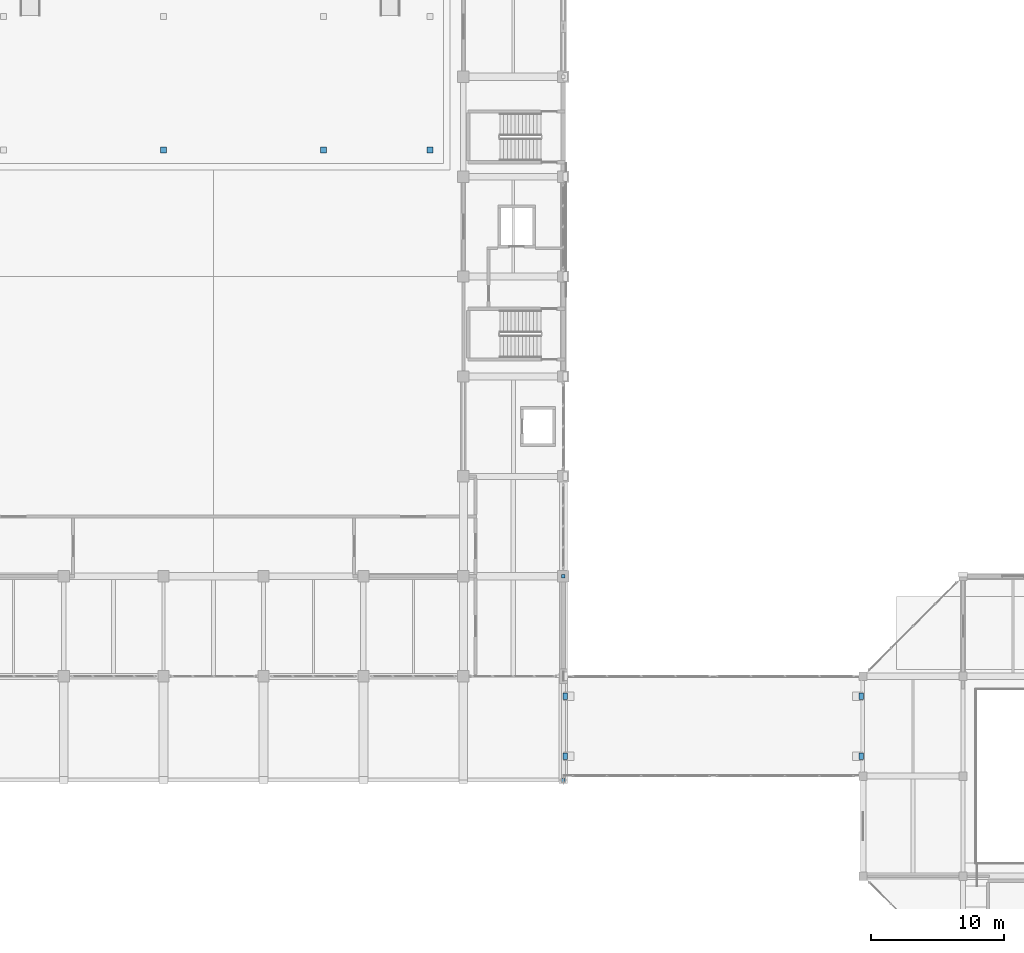
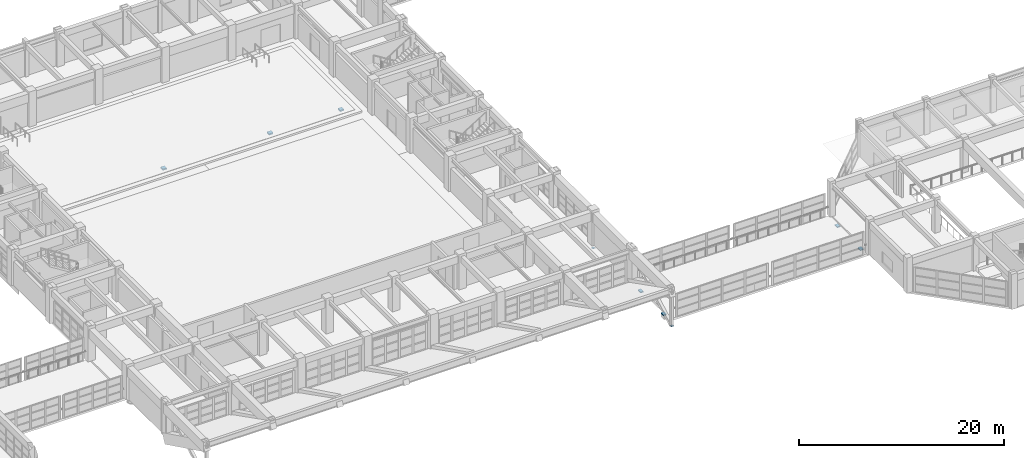
# One storey, part 113 of 132: 9 discrete accessories.
"""IFC4 building model written with IfcOpenShell, lengths in metres."""

from ifc_helpers import new_model, si_unit, direction, frame, origin, origin_2d, place, context, subcontext, project, spatial, rectangle, extrude, material, type_object, element, save


model = new_model("IFC4")

# Units and contexts
model_context = context("Model", 3, precision=1e-05, world=origin(), true_north=direction((0.0, 1.0)))
body_context = subcontext(model_context, "Body", "Model", "MODEL_VIEW")
ifc_project = project(units=[si_unit("LENGTHUNIT", "METRE"), si_unit("AREAUNIT", "SQUARE_METRE"), si_unit("VOLUMEUNIT", "CUBIC_METRE"), si_unit("PLANEANGLEUNIT", "RADIAN"), si_unit("MASSUNIT", "GRAM", prefix="KILO")], contexts=[model_context])

# Site, building, storey
site_placement = place(None, origin())
site = spatial("IfcSite", under=ifc_project, at=site_placement, CompositionType="ELEMENT")
building_placement = place(site_placement, origin())
building = spatial("IfcBuilding", under=site, at=building_placement, Name="Qasida Concert Hall", CompositionType="ELEMENT")
storey_placement = place(building_placement, frame((0.0, 0.0, 4.800048828125)))
storey = spatial("IfcBuildingStorey", under=building, at=storey_placement, Name="L01", CompositionType="ELEMENT", Elevation=4.800048828125)

# Discrete accessories
ifc_material = material(Name="Steel S355J2", Category="steel")
discrete_accessory_type_1 = type_object("IfcDiscreteAccessoryType", Name="ACC-CONN-S355", PredefinedType="BRACKET", material=ifc_material)
for number, where, z_axis, x_axis, name in (
    (1, (105.0, 14.699951171875, -0.612060546875), (0.0, 0.0, 1.0), (1.0, 0.0, 0.0), "Steel brace/strut end connection CN-0007"),
    (2, (105.0, 30.0, -0.612060546875), (0.0, 0.0, 1.0), (1.0, 0.0, 0.0), "Steel brace/strut end connection CN-0008"),
):
    element("IfcDiscreteAccessory", number, at=place(storey_placement, frame(where, z_axis=z_axis, x_axis=x_axis)), inside=storey, type_object=discrete_accessory_type_1, Name=name, PredefinedType="BRACKET", context=body_context, shape_type="SweptSolid", body=[
        extrude(rectangle(XDim=0.280029296875, YDim=0.239990234375, at=origin_2d()), origin(), (0.0, 0.0, 1.0), 0.02392578125),
    ])
discrete_accessory_type_2 = type_object("IfcDiscreteAccessoryType", Name="ACC-PTFE-SLIDE", PredefinedType="BRACKET", material=ifc_material)
for number, where, z_axis, x_axis, name in (
    (3, (105.14990234375, 16.5, -0.400146484375), (0.0, 0.0, 1.0), (1.0, 0.0, 0.0), "Seismic sliding bearing SB-PTFE-041"),
    (4, (105.14990234375, 21.0, -0.400146484375), (0.0, 0.0, 1.0), (1.0, 0.0, 0.0), "Seismic sliding bearing SB-PTFE-042"),
    (5, (127.35009765625, 16.5, -0.400146484375), (0.0, 0.0, 1.0), (1.0, 0.0, 0.0), "Seismic sliding bearing SB-PTFE-043"),
    (6, (127.35009765625, 21.0, -0.400146484375), (0.0, 0.0, 1.0), (1.0, 0.0, 0.0), "Seismic sliding bearing SB-PTFE-044"),
):
    element("IfcDiscreteAccessory", number, at=place(storey_placement, frame(where, z_axis=z_axis, x_axis=x_axis)), inside=storey, type_object=discrete_accessory_type_2, Name=name, PredefinedType="BRACKET", context=body_context, shape_type="SweptSolid", body=[
        extrude(rectangle(XDim=0.35009765625, YDim=0.5, at=origin_2d()), origin(), (0.0, 0.0, 1.0), 0.1201171875),
    ])
discrete_accessory_type_3 = type_object("IfcDiscreteAccessoryType", Name="ACC-SPRING-4HZ", PredefinedType="BRACKET", material=ifc_material)
for number, where, z_axis, x_axis, name in (
    (7, (75.0, 62.0, -0.080078125), (0.0, 0.0, 1.0), (1.0, 0.0, 0.0), "Acoustic spring isolator ASI-012"),
    (8, (87.0, 62.0, -0.080078125), (0.0, 0.0, 1.0), (1.0, 0.0, 0.0), "Acoustic spring isolator ASI-014"),
    (9, (95.0, 62.0, -0.080078125), (0.0, 0.0, 1.0), (1.0, 0.0, 0.0), "Acoustic spring isolator ASI-016"),
):
    element("IfcDiscreteAccessory", number, at=place(storey_placement, frame(where, z_axis=z_axis, x_axis=x_axis)), inside=storey, type_object=discrete_accessory_type_3, Name=name, PredefinedType="BRACKET", context=body_context, shape_type="SweptSolid", body=[
        extrude(rectangle(XDim=0.449951171875, YDim=0.449951171875, at=origin_2d()), origin(), (0.0, 0.0, 1.0), 0.159912109375),
    ])

save(model, "model.ifc")
